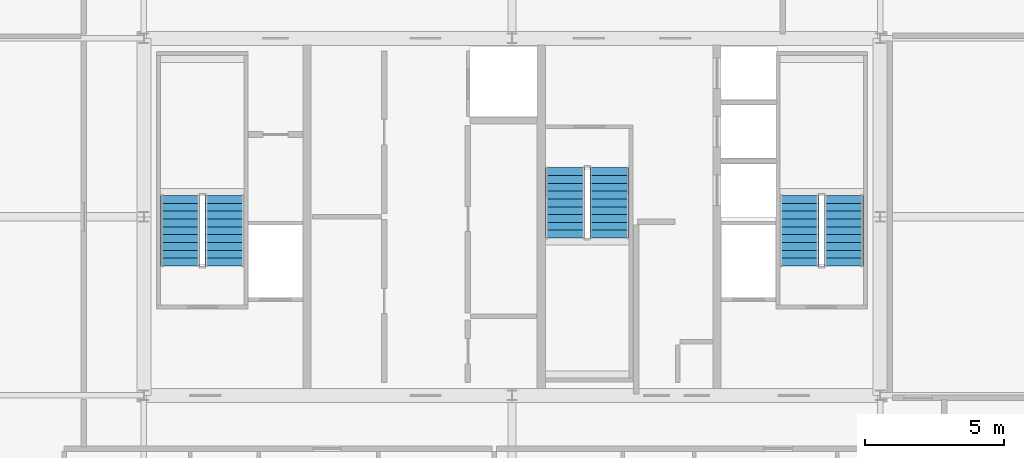
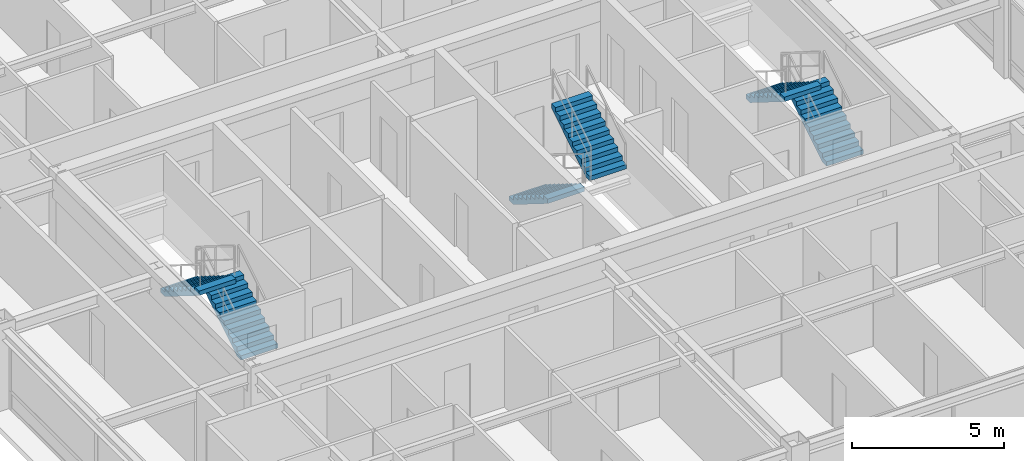
# One storey, part 34 of 35: 6 stair flights, 3 elements without a shape of their own.
"""IFC4 building model written with IfcOpenShell, lengths in metres."""

from ifc_helpers import new_model, si_unit, direction, frame, origin, place, context, subcontext, project, spatial, polyline, outline, extrude, source, transform, mapped, material, type_object, element, aggregate, save


model = new_model("IFC4")

# Units and contexts
model_context = context("Model", 3, precision=1e-05, world=origin(), true_north=direction((0.0, 1.0)))
body_context = subcontext(model_context, "Body", "Model", "MODEL_VIEW")
ifc_project = project(units=[si_unit("LENGTHUNIT", "METRE"), si_unit("AREAUNIT", "SQUARE_METRE"), si_unit("VOLUMEUNIT", "CUBIC_METRE"), si_unit("PLANEANGLEUNIT", "RADIAN"), si_unit("MASSUNIT", "GRAM", prefix="KILO"), si_unit("THERMODYNAMICTEMPERATUREUNIT", "KELVIN"), si_unit("POWERUNIT", "WATT")], contexts=[model_context])

# Site, building, storey
site_placement = place(None, origin())
site = spatial("IfcSite", under=ifc_project, at=site_placement, CompositionType="ELEMENT")
building_placement = place(site_placement, origin())
building = spatial("IfcBuilding", under=site, at=building_placement, Name="Yuzanri Waterfront Tower", CompositionType="ELEMENT")
storey_placement = place(building_placement, frame((0.0, 0.0, 303.10009765625)))
storey = spatial("IfcBuildingStorey", under=building, at=storey_placement, Name="L81", CompositionType="ELEMENT", Elevation=303.10009765625)

# Stair, stair flights
ifc_material_1 = material(Name="Concrete C40", Category="concrete")
stair_type = type_object("IfcStairType", Name="Concrete C40 Core Dogleg Exit Stair", PredefinedType="HALF_TURN_STAIR", material=ifc_material_1)
stair_1_placement = place(storey_placement, origin())
stair_1 = element("IfcStair", 1, at=stair_1_placement, inside=storey, type_object=stair_type, Name="L81 Smoke-Proof Core Stair ST-01", PredefinedType="HALF_TURN_STAIR")
ifc_material_2 = material(Name="Concrete C40", Category="concrete")
stair_flight_type = type_object("IfcStairFlightType", Name="Concrete C40 Precast Stair Flight 1380", PredefinedType="STRAIGHT", material=ifc_material_2)
shared_shape = source(origin(), body_context, "Body", "SweptSolid", [
    extrude(outline(polyline([(0.0, 0.0), (0.0, 0.175048828125), (0.280029296875, 0.175048828125), (0.280029296875, 0.35009765625), (0.56005859375, 0.35009765625), (0.56005859375, 0.52490234375), (0.840087890625, 0.52490234375), (0.840087890625, 0.699951171875), (1.1201171875, 0.699951171875), (1.1201171875, 0.875), (1.39990234375, 0.875), (1.39990234375, 1.050048828125), (1.679931640625, 1.050048828125), (1.679931640625, 1.22509765625), (1.9599609375, 1.22509765625), (1.9599609375, 1.39990234375), (2.239990234375, 1.39990234375), (2.239990234375, 1.574951171875), (2.52001953125, 1.574951171875), (2.52001953125, 1.75), (2.52001953125, 1.398193359375), (0.28271484375, 0.0), (0.0, 0.0)])), frame((0.0, 0.699951171875, 0.0), z_axis=(0.0, -1.0, 0.0), x_axis=(1.0, 0.0, 0.0)), (0.0, 0.0, 1.0), 1.39990234375),
])
stair_flight_1_placement = place(storey_placement, frame((26.699951171875, 24.0400390625, 0.0), z_axis=(0.0, 0.0, 1.0), x_axis=(0.0, 1.0, 0.0)))
stair_flight_1 = element("IfcStairFlight", 2, at=stair_flight_1_placement, type_object=stair_flight_type, Name="ST-01 flight 1", NumberOfRisers=10, NumberOfTreads=9, PredefinedType="STRAIGHT", RiserHeight=0.175, TreadLength=0.28, context=body_context, shape_type="MappedRepresentation", body=[
    mapped(shared_shape, transform((0.0, 0.0, 0.0), scale=1.0)),
])
stair_flight_2_placement = place(storey_placement, frame((25.10009765625, 26.56005859375, 1.75), z_axis=(0.0, 0.0, 1.0), x_axis=(0.0, -1.0, 0.0)))
stair_flight_2 = element("IfcStairFlight", 3, at=stair_flight_2_placement, type_object=stair_flight_type, Name="ST-01 flight 2", NumberOfRisers=10, NumberOfTreads=9, PredefinedType="STRAIGHT", RiserHeight=0.175, TreadLength=0.28, context=body_context, shape_type="MappedRepresentation", body=[
    mapped(shared_shape, transform((0.0, 0.0, 0.0), scale=1.0)),
])
aggregate(stair_1, [stair_flight_1, stair_flight_2])

stair_2_placement = place(storey_placement, origin())
stair_2 = element("IfcStair", 4, at=stair_2_placement, inside=storey, type_object=stair_type, Name="L81 Smoke-Proof Core Stair ST-02", PredefinedType="HALF_TURN_STAIR")
stair_flight_3_placement = place(storey_placement, frame((48.89990234375, 24.0400390625, 0.0), z_axis=(0.0, 0.0, 1.0), x_axis=(0.0, 1.0, 0.0)))
stair_flight_3 = element("IfcStairFlight", 5, at=stair_flight_3_placement, type_object=stair_flight_type, Name="ST-02 flight 1", NumberOfRisers=10, NumberOfTreads=9, PredefinedType="STRAIGHT", RiserHeight=0.175, TreadLength=0.28, context=body_context, shape_type="MappedRepresentation", body=[
    mapped(shared_shape, transform((0.0, 0.0, 0.0), scale=1.0)),
])
stair_flight_4_placement = place(storey_placement, frame((47.300048828125, 26.56005859375, 1.75), z_axis=(0.0, 0.0, 1.0), x_axis=(0.0, -1.0, 0.0)))
stair_flight_4 = element("IfcStairFlight", 6, at=stair_flight_4_placement, type_object=stair_flight_type, Name="ST-02 flight 2", NumberOfRisers=10, NumberOfTreads=9, PredefinedType="STRAIGHT", RiserHeight=0.175, TreadLength=0.28, context=body_context, shape_type="MappedRepresentation", body=[
    mapped(shared_shape, transform((0.0, 0.0, 0.0), scale=1.0)),
])
aggregate(stair_2, [stair_flight_3, stair_flight_4])

stair_3_placement = place(storey_placement, origin())
stair_3 = element("IfcStair", 7, at=stair_3_placement, inside=storey, type_object=stair_type, Name="L81 Smoke-Proof Core Stair ST-03", PredefinedType="HALF_TURN_STAIR")
stair_flight_5_placement = place(storey_placement, frame((38.89990234375, 27.56005859375, 0.0), z_axis=(0.0, 0.0, 1.0), x_axis=(0.0, -1.0, 0.0)))
stair_flight_5 = element("IfcStairFlight", 8, at=stair_flight_5_placement, type_object=stair_flight_type, Name="ST-03 flight 1", NumberOfRisers=10, NumberOfTreads=9, PredefinedType="STRAIGHT", RiserHeight=0.175, TreadLength=0.28, context=body_context, shape_type="MappedRepresentation", body=[
    mapped(shared_shape, transform((0.0, 0.0, 0.0), scale=1.0)),
])
stair_flight_6_placement = place(storey_placement, frame((40.5, 25.0400390625, 1.75), z_axis=(0.0, 0.0, 1.0), x_axis=(0.0, 1.0, 0.0)))
stair_flight_6 = element("IfcStairFlight", 9, at=stair_flight_6_placement, type_object=stair_flight_type, Name="ST-03 flight 2", NumberOfRisers=10, NumberOfTreads=9, PredefinedType="STRAIGHT", RiserHeight=0.175, TreadLength=0.28, context=body_context, shape_type="MappedRepresentation", body=[
    mapped(shared_shape, transform((0.0, 0.0, 0.0), scale=1.0)),
])
aggregate(stair_3, [stair_flight_5, stair_flight_6])

save(model, "model.ifc")
